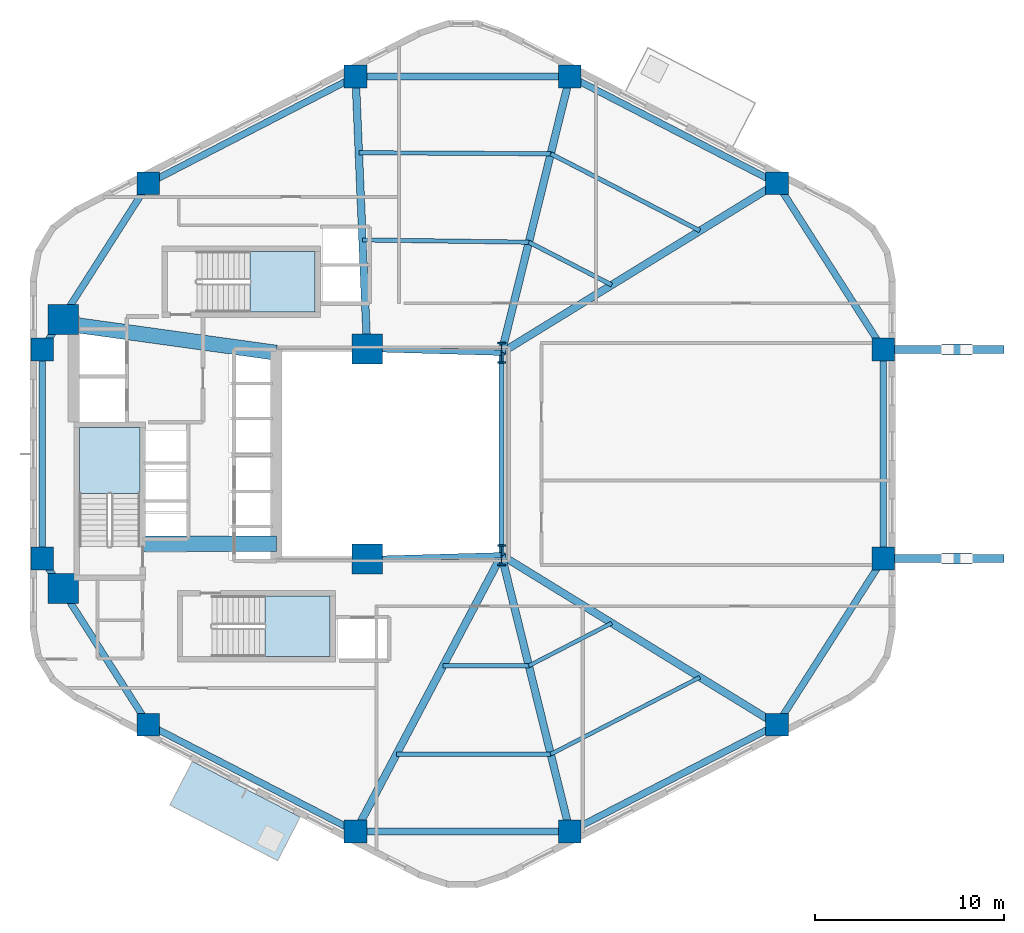
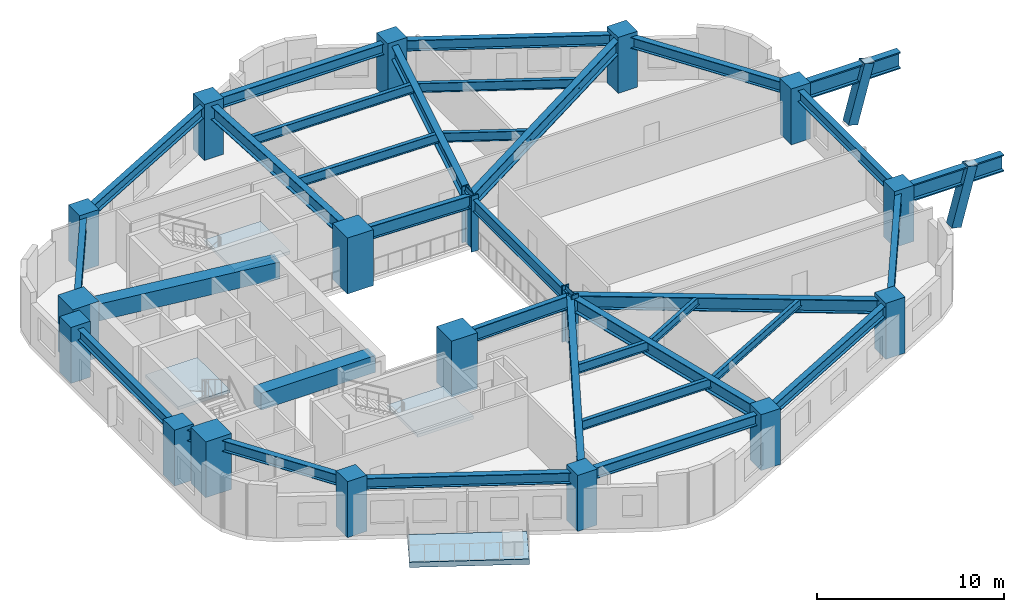
# One storey, part 1 of 7: 33 beams, 18 columns, 4 slabs, 2 members, 3 elements without a shape of their own.
"""IFC4 building model written with IfcOpenShell, lengths in metres."""

from ifc_helpers import new_model, si_unit, direction, frame, origin, origin_2d, place, context, subcontext, project, spatial, polyline, rectangle, hollow_rectangle, i_section, outline, extrude, material, layer, layer_set, material_profile, profile_set, type_object, element, aggregate, save


model = new_model("IFC4")

# Units and contexts
model_context = context("Model", 3, precision=1e-05, world=origin(), true_north=direction((0.0, 1.0)))
body_context = subcontext(model_context, "Body", "Model", "MODEL_VIEW")
ifc_project = project(units=[si_unit("LENGTHUNIT", "METRE"), si_unit("AREAUNIT", "SQUARE_METRE"), si_unit("VOLUMEUNIT", "CUBIC_METRE"), si_unit("PLANEANGLEUNIT", "RADIAN"), si_unit("MASSUNIT", "GRAM", prefix="KILO"), si_unit("THERMODYNAMICTEMPERATUREUNIT", "KELVIN"), si_unit("POWERUNIT", "WATT")], contexts=[model_context])

# Site, building, storey
site_placement = place(None, origin())
site = spatial("IfcSite", under=ifc_project, at=site_placement, CompositionType="ELEMENT")
building_placement = place(site_placement, origin())
building = spatial("IfcBuilding", under=site, at=building_placement, Name="Skarre Station Tower", CompositionType="ELEMENT")
storey_placement = place(building_placement, frame((0.0, 0.0, 37.949951171875)))
storey = spatial("IfcBuildingStorey", under=building, at=storey_placement, Name="L09", CompositionType="ELEMENT", Elevation=37.949951171875)

# Columns
ifc_material_1 = material(Name="Concrete C60/75", Category="concrete")
ifc_material_profile_1 = material_profile(ifc_material_1, rectangle(XDim=1.199951171875, YDim=1.199951171875, at=origin_2d()), Name="Concrete C60/75")
ifc_profile_set_1 = profile_set([ifc_material_profile_1], Name="Concrete C60/75")
column_type_1 = type_object("IfcColumnType", Name="RC Structural Column RC-COL-1200X1200", PredefinedType="COLUMN", material=ifc_profile_set_1)
for number, where, z_axis, x_axis, name in (
    (1, (54.007080078125, 38.298095703125, 0.0), (0.0, 0.0, 1.0), (1.0, 0.0, 0.0), "L09 Zone 1 Perimeter Column F0C1"),
    (2, (43.06005859375, 43.947021484375, 0.0), (0.0, 0.0, 1.0), (1.0, 0.0, 0.0), "L09 Zone 1 Perimeter Column F0C2"),
    (3, (31.739990234375, 43.947021484375, 0.0), (0.0, 0.0, 1.0), (1.0, 0.0, 0.0), "L09 Zone 1 Perimeter Column F1C1"),
    (4, (20.79296875, 38.298095703125, 0.0), (0.0, 0.0, 1.0), (1.0, 0.0, 0.0), "L09 Zone 1 Perimeter Column F1C2"),
    (5, (15.18701171875, 29.52099609375, 0.0), (0.0, 0.0, 1.0), (1.0, 0.0, 0.0), "L09 Zone 1 Perimeter Column F2C1"),
    (6, (15.18701171875, 18.47900390625, 0.0), (0.0, 0.0, 1.0), (1.0, 0.0, 0.0), "L09 Zone 1 Perimeter Column F2C2"),
    (7, (20.79296875, 9.701904296875, 0.0), (0.0, 0.0, 1.0), (1.0, 0.0, 0.0), "L09 Zone 1 Perimeter Column F3C1"),
    (8, (31.739990234375, 4.052978515625, 0.0), (0.0, 0.0, 1.0), (1.0, 0.0, 0.0), "L09 Zone 1 Perimeter Column F3C2"),
    (9, (43.06005859375, 4.052978515625, 0.0), (0.0, 0.0, 1.0), (1.0, 0.0, 0.0), "L09 Zone 1 Perimeter Column F4C1"),
    (10, (54.007080078125, 9.701904296875, 0.0), (0.0, 0.0, 1.0), (1.0, 0.0, 0.0), "L09 Zone 1 Perimeter Column F4C2"),
    (11, (59.613037109375, 18.47900390625, 0.0), (0.0, 0.0, 1.0), (1.0, 0.0, 0.0), "L09 Zone 1 Perimeter Column F5C1"),
    (12, (59.613037109375, 29.52099609375, 0.0), (0.0, 0.0, 1.0), (1.0, 0.0, 0.0), "L09 Zone 1 Perimeter Column F5C2"),
):
    element("IfcColumn", number, at=place(storey_placement, frame(where, z_axis=z_axis, x_axis=x_axis)), inside=storey, type_object=column_type_1, Name=name, PredefinedType="COLUMN", context=body_context, shape_type="SweptSolid", body=[
        extrude(rectangle(XDim=1.199951171875, YDim=1.199951171875, at=origin_2d()), origin(), (0.0, 0.0, 1.0), 3.650146484375),
    ])
ifc_material_2 = material(Name="Concrete C70/85", Category="concrete")
ifc_material_profile_2 = material_profile(ifc_material_2, rectangle(XDim=1.60009765625, YDim=1.60009765625, at=origin_2d()), Name="Concrete C70/85")
ifc_profile_set_2 = profile_set([ifc_material_profile_2], Name="Concrete C70/85")
column_type_2 = type_object("IfcColumnType", Name="RC Structural Column RC-COL-1600X1600", PredefinedType="COLUMN", material=ifc_profile_set_2)
for number, where, z_axis, x_axis, name in (
    (13, (16.300048828125, 16.89990234375, 0.0), (0.0, 0.0, 1.0), (1.0, 0.0, 0.0), "L09 Core Column CC-SW"),
    (14, (16.300048828125, 31.10009765625, 0.0), (0.0, 0.0, 1.0), (1.0, 0.0, 0.0), "L09 Core Column CC-NW"),
    (15, (32.35009765625, 18.449951171875, 0.0), (0.0, 0.0, 1.0), (1.0, 0.0, 0.0), "L09 Core Column CC-SE"),
    (16, (32.35009765625, 29.550048828125, 0.0), (0.0, 0.0, 1.0), (1.0, 0.0, 0.0), "L09 Core Column CC-NE"),
):
    element("IfcColumn", number, at=place(storey_placement, frame(where, z_axis=z_axis, x_axis=x_axis)), inside=storey, type_object=column_type_2, Name=name, PredefinedType="COLUMN", context=body_context, shape_type="SweptSolid", body=[
        extrude(rectangle(XDim=1.60009765625, YDim=1.60009765625, at=origin_2d()), origin(), (0.0, 0.0, 1.0), 3.650146484375),
    ])
ifc_material_3 = material(Name="Steel ASTM A913 Grade 65", Category="steel")
ifc_material_profile_3 = material_profile(ifc_material_3, i_section(OverallWidth=0.424072265625, OverallDepth=1.092041015625, WebThickness=0.044921875, FlangeThickness=0.08203125, at=origin_2d()), Name="Steel ASTM A913 Grade 65")
ifc_profile_set_3 = profile_set([ifc_material_profile_3], Name="Steel ASTM A913 Grade 65")
column_type_3 = type_object("IfcColumnType", Name="Steel Column W40X593", PredefinedType="COLUMN", material=ifc_profile_set_3)
for number, where, z_axis, x_axis, name in (
    (17, (39.449951171875, 18.64990234375, 0.0), (0.0, 0.0, 1.0), (1.0, 0.0, 0.0), "L09 Atrium Spine Column AC-SE"),
    (18, (39.449951171875, 29.35009765625, 0.0), (0.0, 0.0, 1.0), (1.0, 0.0, 0.0), "L09 Atrium Spine Column AC-NE"),
):
    element("IfcColumn", number, at=place(storey_placement, frame(where, z_axis=z_axis, x_axis=x_axis)), inside=storey, type_object=column_type_3, Name=name, PredefinedType="COLUMN", context=body_context, shape_type="SweptSolid", body=[
        extrude(i_section(OverallWidth=0.424072265625, OverallDepth=1.092041015625, WebThickness=0.044921875, FlangeThickness=0.08203125, at=origin_2d()), origin(), (0.0, 0.0, 1.0), 3.650146484375),
    ])

# Beams
ifc_material_profile_4 = material_profile(ifc_material_2, rectangle(XDim=0.800048828125, YDim=1.10009765625, at=origin_2d()), Name="Concrete C70/85")
ifc_profile_set_4 = profile_set([ifc_material_profile_4], Name="Concrete C70/85")
beam_type_1 = type_object("IfcBeamType", Name="RC Core Coupling Lintel 800x1100", PredefinedType="LINTEL", material=ifc_profile_set_4)
beam_1_placement = place(storey_placement, frame((20.489990234375, 19.260009765625, 2.840087890625), z_axis=(1.0, 0.0, 0.0), x_axis=(0.0, 1.0, 0.0)))
element("IfcBeam", 19, at=beam_1_placement, inside=storey, type_object=beam_type_1, Name="L09 South Core Coupling Lintel", PredefinedType="LINTEL", context=body_context, shape_type="SweptSolid", body=[
    extrude(rectangle(XDim=0.800048828125, YDim=1.10009765625, at=origin_2d()), origin(), (0.0, 0.0, 1.0), 7.06005859375),
])
beam_2_placement = place(storey_placement, frame((17.050048828125, 30.800048828125, 2.840087890625), z_axis=(0.990599723633, -0.136792498109, 0.0), x_axis=(0.136792498109, 0.990599723633, 0.0)))
element("IfcBeam", 20, at=beam_2_placement, inside=storey, type_object=beam_type_1, Name="L09 North Core Coupling Lintel", PredefinedType="LINTEL", context=body_context, shape_type="SweptSolid", body=[
    extrude(rectangle(XDim=0.800048828125, YDim=1.10009765625, at=origin_2d()), origin(), (0.0, 0.0, 1.0), 10.599609375),
])
ifc_material_4 = material(Name="Steel ASTM A992 Grade 50", Category="steel")
ifc_material_profile_5 = material_profile(ifc_material_4, i_section(OverallWidth=0.26806640625, OverallDepth=0.77001953125, WebThickness=0.01611328125, FlangeThickness=0.02490234375, at=origin_2d()), Name="Steel ASTM A992 Grade 50")
ifc_profile_set_5 = profile_set([ifc_material_profile_5], Name="Steel ASTM A992 Grade 50")
beam_type_2 = type_object("IfcBeamType", Name="Steel Beam W30X132", PredefinedType="BEAM", material=ifc_profile_set_5)
beam_3_placement = place(storey_placement, frame((39.449951171875, 18.64990234375, 3.005126953125), z_axis=(0.0, 1.0, 0.0), x_axis=(-1.0, 0.0, 0.0)))
element("IfcBeam", 21, at=beam_3_placement, inside=storey, type_object=beam_type_2, Name="L09 Atrium East Edge Girder", PredefinedType="BEAM", context=body_context, shape_type="SweptSolid", body=[
    extrude(i_section(OverallWidth=0.26806640625, OverallDepth=0.77001953125, WebThickness=0.01611328125, FlangeThickness=0.02490234375, at=origin_2d()), origin(), (0.0, 0.0, 1.0), 10.7001953125),
])
ifc_material_profile_6 = material_profile(ifc_material_4, i_section(OverallWidth=0.2919921875, OverallDepth=0.85888671875, WebThickness=0.01708984375, FlangeThickness=0.031005859375, at=origin_2d()), Name="Steel ASTM A992 Grade 50")
ifc_profile_set_6 = profile_set([ifc_material_profile_6], Name="Steel ASTM A992 Grade 50")
beam_type_3 = type_object("IfcBeamType", Name="Steel Beam W33X169", PredefinedType="BEAM", material=ifc_profile_set_6)
for number, where, z_axis, x_axis, name in (
    (22, (32.35009765625, 18.449951171875, 2.9609375), (0.999603666405, 0.028151556095, 0.0), (-0.028151556095, 0.999603666405, 0.0), "L09 Atrium South Edge Girder"),
    (23, (32.35009765625, 29.550048828125, 2.9609375), (0.999603666405, -0.028151556095, 0.0), (0.028151556095, 0.999603666405, 0.0), "L09 Atrium North Edge Girder"),
):
    element("IfcBeam", number, at=place(storey_placement, frame(where, z_axis=z_axis, x_axis=x_axis)), inside=storey, type_object=beam_type_3, Name=name, PredefinedType="BEAM", context=body_context, shape_type="SweptSolid", body=[
        extrude(i_section(OverallWidth=0.2919921875, OverallDepth=0.85888671875, WebThickness=0.01708984375, FlangeThickness=0.031005859375, at=origin_2d()), origin(), (0.0, 0.0, 1.0), 7.102783203125),
    ])
ifc_material_profile_7 = material_profile(ifc_material_4, i_section(OverallWidth=0.40087890625, OverallDepth=0.876953125, WebThickness=0.02197265625, FlangeThickness=0.0400390625, at=origin_2d()), Name="Steel ASTM A992 Grade 50")
ifc_profile_set_7 = profile_set([ifc_material_profile_7], Name="Steel ASTM A992 Grade 50")
beam_type_4 = type_object("IfcBeamType", Name="Steel Beam W33X263", PredefinedType="BEAM", material=ifc_profile_set_7)
beam_4_placement = place(storey_placement, frame((39.449951171875, 29.35009765625, 2.9521484375), z_axis=(0.851925565957, 0.523662897358, 0.0), x_axis=(-0.523662897358, 0.851925565957, 0.0)))
element("IfcBeam", 24, at=beam_4_placement, inside=storey, type_object=beam_type_4, Name="L09 Radial Floor Girder F0C1", PredefinedType="BEAM", context=body_context, shape_type="SweptSolid", body=[
    extrude(i_section(OverallWidth=0.40087890625, OverallDepth=0.876953125, WebThickness=0.02197265625, FlangeThickness=0.0400390625, at=origin_2d()), origin(), (0.0, 0.0, 1.0), 17.08740234375),
])
beam_5_placement = place(storey_placement, frame((39.449951171875, 29.35009765625, 2.9521484375), z_axis=(0.240086037639, 0.9707516132, 0.0), x_axis=(-0.9707516132, 0.240086037639, 0.0)))
element("IfcBeam", 25, at=beam_5_placement, inside=storey, type_object=beam_type_4, Name="L09 Radial Floor Girder F0C2", PredefinedType="BEAM", context=body_context, shape_type="SweptSolid", body=[
    extrude(i_section(OverallWidth=0.40087890625, OverallDepth=0.876953125, WebThickness=0.02197265625, FlangeThickness=0.0400390625, at=origin_2d()), origin(), (0.0, 0.0, 1.0), 15.03662109375),
])
beam_6_placement = place(storey_placement, frame((32.35009765625, 29.550048828125, 2.9521484375), z_axis=(-0.042339479433, 0.999103282189, 0.0), x_axis=(-0.999103282189, -0.042339479433, 0.0)))
element("IfcBeam", 26, at=beam_6_placement, inside=storey, type_object=beam_type_4, Name="L09 Radial Floor Girder F1C1", PredefinedType="BEAM", context=body_context, shape_type="SweptSolid", body=[
    extrude(i_section(OverallWidth=0.40087890625, OverallDepth=0.876953125, WebThickness=0.02197265625, FlangeThickness=0.0400390625, at=origin_2d()), origin(), (0.0, 0.0, 1.0), 14.409912109375),
])
beam_7_placement = place(storey_placement, frame((39.449951171875, 18.64990234375, 2.9521484375), z_axis=(-0.467044240884, -0.884233949279, 0.0), x_axis=(0.884233949279, -0.467044240884, 0.0)))
element("IfcBeam", 27, at=beam_7_placement, inside=storey, type_object=beam_type_4, Name="L09 Radial Floor Girder F3C2", PredefinedType="BEAM", context=body_context, shape_type="SweptSolid", body=[
    extrude(i_section(OverallWidth=0.40087890625, OverallDepth=0.876953125, WebThickness=0.02197265625, FlangeThickness=0.0400390625, at=origin_2d()), origin(), (0.0, 0.0, 1.0), 16.508056640625),
])
beam_8_placement = place(storey_placement, frame((39.449951171875, 18.64990234375, 2.9521484375), z_axis=(0.240086037639, -0.9707516132, 0.0), x_axis=(0.9707516132, 0.240086037639, 0.0)))
element("IfcBeam", 28, at=beam_8_placement, inside=storey, type_object=beam_type_4, Name="L09 Radial Floor Girder F4C1", PredefinedType="BEAM", context=body_context, shape_type="SweptSolid", body=[
    extrude(i_section(OverallWidth=0.40087890625, OverallDepth=0.876953125, WebThickness=0.02197265625, FlangeThickness=0.0400390625, at=origin_2d()), origin(), (0.0, 0.0, 1.0), 15.03662109375),
])
beam_9_placement = place(storey_placement, frame((39.449951171875, 18.64990234375, 2.9521484375), z_axis=(0.851925565957, -0.523662897358, 0.0), x_axis=(0.523662897358, 0.851925565957, 0.0)))
element("IfcBeam", 29, at=beam_9_placement, inside=storey, type_object=beam_type_4, Name="L09 Radial Floor Girder F4C2", PredefinedType="BEAM", context=body_context, shape_type="SweptSolid", body=[
    extrude(i_section(OverallWidth=0.40087890625, OverallDepth=0.876953125, WebThickness=0.02197265625, FlangeThickness=0.0400390625, at=origin_2d()), origin(), (0.0, 0.0, 1.0), 17.08740234375),
])
ifc_material_profile_8 = material_profile(ifc_material_4, i_section(OverallWidth=0.208984375, OverallDepth=0.532958984375, WebThickness=0.010009765625, FlangeThickness=0.01611328125, at=origin_2d()), Name="Steel ASTM A992 Grade 50")
ifc_profile_set_8 = profile_set([ifc_material_profile_8], Name="Steel ASTM A992 Grade 50")
beam_type_5 = type_object("IfcBeamType", Name="Steel Joist W21X62", PredefinedType="JOIST", material=ifc_profile_set_8)
beam_10_placement = place(storey_placement, frame((40.89404296875, 12.81103515625, 3.1240234375), z_axis=(0.888626519249, 0.458631561591, 0.0), x_axis=(-0.458631561591, 0.888626519249, 0.0)))
element("IfcBeam", 30, at=beam_10_placement, inside=storey, type_object=beam_type_5, Name="L09 Auxiliary Composite Joist 7", PredefinedType="JOIST", context=body_context, shape_type="SweptSolid", body=[
    extrude(i_section(OverallWidth=0.208984375, OverallDepth=0.532958984375, WebThickness=0.010009765625, FlangeThickness=0.01611328125, at=origin_2d()), origin(), (0.0, 0.0, 1.0), 4.927734375),
])
beam_11_placement = place(storey_placement, frame((42.049072265625, 8.139892578125, 3.1240234375), z_axis=(0.88866227096, 0.458562283853, 0.0), x_axis=(-0.458562283853, 0.88866227096, 0.0)))
element("IfcBeam", 31, at=beam_11_placement, inside=storey, type_object=beam_type_5, Name="L09 Auxiliary Composite Joist 8", PredefinedType="JOIST", context=body_context, shape_type="SweptSolid", body=[
    extrude(i_section(OverallWidth=0.208984375, OverallDepth=0.532958984375, WebThickness=0.010009765625, FlangeThickness=0.01611328125, at=origin_2d()), origin(), (0.0, 0.0, 1.0), 8.869384765625),
])
ifc_material_profile_9 = material_profile(ifc_material_4, i_section(OverallWidth=0.22802734375, OverallDepth=0.60791015625, WebThickness=0.010986328125, FlangeThickness=0.01708984375, at=origin_2d()), Name="Steel ASTM A992 Grade 50")
ifc_profile_set_9 = profile_set([ifc_material_profile_9], Name="Steel ASTM A992 Grade 50")
beam_type_6 = type_object("IfcBeamType", Name="Steel Joist W24X76", PredefinedType="JOIST", material=ifc_profile_set_9)
beam_12_placement = place(storey_placement, frame((45.27294921875, 32.928955078125, 3.0859375), z_axis=(-0.888626519249, 0.458631561591, 0.0), x_axis=(-0.458631561591, -0.888626519249, 0.0)))
element("IfcBeam", 32, at=beam_12_placement, inside=storey, type_object=beam_type_6, Name="L09 Secondary Floor Joist 1", PredefinedType="JOIST", context=body_context, shape_type="SweptSolid", body=[
    extrude(i_section(OverallWidth=0.22802734375, OverallDepth=0.60791015625, WebThickness=0.010986328125, FlangeThickness=0.01708984375, at=origin_2d()), origin(), (0.0, 0.0, 1.0), 4.927734375),
])
beam_13_placement = place(storey_placement, frame((49.930908203125, 35.79296875, 3.0859375), z_axis=(-0.88866227096, 0.458562283853, 0.0), x_axis=(-0.458562283853, -0.88866227096, 0.0)))
element("IfcBeam", 33, at=beam_13_placement, inside=storey, type_object=beam_type_6, Name="L09 Secondary Floor Joist 2", PredefinedType="JOIST", context=body_context, shape_type="SweptSolid", body=[
    extrude(i_section(OverallWidth=0.22802734375, OverallDepth=0.60791015625, WebThickness=0.010986328125, FlangeThickness=0.01708984375, at=origin_2d()), origin(), (0.0, 0.0, 1.0), 8.869384765625),
])
beam_14_placement = place(storey_placement, frame((40.89404296875, 35.18896484375, 3.0859375), z_axis=(-0.999906603441, 0.013666908792, 0.0), x_axis=(-0.013666908792, -0.999906603441, 0.0)))
element("IfcBeam", 34, at=beam_14_placement, inside=storey, type_object=beam_type_6, Name="L09 Secondary Floor Joist 3", PredefinedType="JOIST", context=body_context, shape_type="SweptSolid", body=[
    extrude(i_section(OverallWidth=0.22802734375, OverallDepth=0.60791015625, WebThickness=0.010986328125, FlangeThickness=0.01708984375, at=origin_2d()), origin(), (0.0, 0.0, 1.0), 8.788818359375),
])
beam_15_placement = place(storey_placement, frame((42.049072265625, 39.860107421875, 3.0859375), z_axis=(-0.999984794845, 0.005514533498, 0.0), x_axis=(-0.005514533498, -0.999984794845, 0.0)))
element("IfcBeam", 35, at=beam_15_placement, inside=storey, type_object=beam_type_6, Name="L09 Secondary Floor Joist 4", PredefinedType="JOIST", context=body_context, shape_type="SweptSolid", body=[
    extrude(i_section(OverallWidth=0.22802734375, OverallDepth=0.60791015625, WebThickness=0.010986328125, FlangeThickness=0.01708984375, at=origin_2d()), origin(), (0.0, 0.0, 1.0), 10.138427734375),
])
beam_16_placement = place(storey_placement, frame((36.365966796875, 12.81103515625, 3.0859375), z_axis=(1.0, 0.0, 0.0), x_axis=(0.0, 1.0, 0.0)))
element("IfcBeam", 36, at=beam_16_placement, inside=storey, type_object=beam_type_6, Name="L09 Secondary Floor Joist 5", PredefinedType="JOIST", context=body_context, shape_type="SweptSolid", body=[
    extrude(i_section(OverallWidth=0.22802734375, OverallDepth=0.60791015625, WebThickness=0.010986328125, FlangeThickness=0.01708984375, at=origin_2d()), origin(), (0.0, 0.0, 1.0), 4.528076171875),
])
beam_17_placement = place(storey_placement, frame((33.89892578125, 8.139892578125, 3.0859375), z_axis=(1.0, 0.0, 0.0), x_axis=(0.0, 1.0, 0.0)))
element("IfcBeam", 37, at=beam_17_placement, inside=storey, type_object=beam_type_6, Name="L09 Secondary Floor Joist 6", PredefinedType="JOIST", context=body_context, shape_type="SweptSolid", body=[
    extrude(i_section(OverallWidth=0.22802734375, OverallDepth=0.60791015625, WebThickness=0.010986328125, FlangeThickness=0.01708984375, at=origin_2d()), origin(), (0.0, 0.0, 1.0), 8.150146484375),
])
ifc_material_profile_10 = material_profile(ifc_material_4, i_section(OverallWidth=0.35791015625, OverallDepth=0.7060546875, WebThickness=0.01806640625, FlangeThickness=0.030029296875, at=origin_2d()), Name="Steel ASTM A992 Grade 50")
ifc_profile_set_10 = profile_set([ifc_material_profile_10], Name="Steel ASTM A992 Grade 50")
beam_type_7 = type_object("IfcBeamType", Name="Steel Spandrel W27X178", PredefinedType="SPANDREL", material=ifc_profile_set_10)
beam_18_placement = place(storey_placement, frame((54.007080078125, 38.298095703125, 3.037109375), z_axis=(-0.888658695823, 0.458569212158, 0.0), x_axis=(-0.458569212158, -0.888658695823, 0.0)))
element("IfcBeam", 38, at=beam_18_placement, inside=storey, type_object=beam_type_7, Name="L09 Facet Spandrel Beam 1", PredefinedType="SPANDREL", context=body_context, shape_type="SweptSolid", body=[
    extrude(i_section(OverallWidth=0.35791015625, OverallDepth=0.7060546875, WebThickness=0.01806640625, FlangeThickness=0.030029296875, at=origin_2d()), origin(), (0.0, 0.0, 1.0), 12.318603515625),
])
beam_19_placement = place(storey_placement, frame((43.06005859375, 43.947021484375, 3.037109375), z_axis=(-1.0, 0.0, 0.0), x_axis=(0.0, -1.0, 0.0)))
element("IfcBeam", 39, at=beam_19_placement, inside=storey, type_object=beam_type_7, Name="L09 Facet Spandrel Beam 2", PredefinedType="SPANDREL", context=body_context, shape_type="SweptSolid", body=[
    extrude(i_section(OverallWidth=0.35791015625, OverallDepth=0.7060546875, WebThickness=0.01806640625, FlangeThickness=0.030029296875, at=origin_2d()), origin(), (0.0, 0.0, 1.0), 11.320068359375),
])
beam_20_placement = place(storey_placement, frame((31.739990234375, 43.947021484375, 3.037109375), z_axis=(-0.888658695823, -0.458569212158, 0.0), x_axis=(0.458569212158, -0.888658695823, 0.0)))
element("IfcBeam", 40, at=beam_20_placement, inside=storey, type_object=beam_type_7, Name="L09 Facet Spandrel Beam 3", PredefinedType="SPANDREL", context=body_context, shape_type="SweptSolid", body=[
    extrude(i_section(OverallWidth=0.35791015625, OverallDepth=0.7060546875, WebThickness=0.01806640625, FlangeThickness=0.030029296875, at=origin_2d()), origin(), (0.0, 0.0, 1.0), 12.318603515625),
])
beam_21_placement = place(storey_placement, frame((20.79296875, 38.298095703125, 3.037109375), z_axis=(-0.538277829225, -0.842767452246, 0.0), x_axis=(0.842767452246, -0.538277829225, 0.0)))
element("IfcBeam", 41, at=beam_21_placement, inside=storey, type_object=beam_type_7, Name="L09 Facet Spandrel Beam 4", PredefinedType="SPANDREL", context=body_context, shape_type="SweptSolid", body=[
    extrude(i_section(OverallWidth=0.35791015625, OverallDepth=0.7060546875, WebThickness=0.01806640625, FlangeThickness=0.030029296875, at=origin_2d()), origin(), (0.0, 0.0, 1.0), 10.41455078125),
])
beam_22_placement = place(storey_placement, frame((15.18701171875, 29.52099609375, 3.037109375), z_axis=(0.0, -1.0, 0.0), x_axis=(1.0, 0.0, 0.0)))
element("IfcBeam", 42, at=beam_22_placement, inside=storey, type_object=beam_type_7, Name="L09 Facet Spandrel Beam 5", PredefinedType="SPANDREL", context=body_context, shape_type="SweptSolid", body=[
    extrude(i_section(OverallWidth=0.35791015625, OverallDepth=0.7060546875, WebThickness=0.01806640625, FlangeThickness=0.030029296875, at=origin_2d()), origin(), (0.0, 0.0, 1.0), 11.0419921875),
])
beam_23_placement = place(storey_placement, frame((15.18701171875, 18.47900390625, 3.037109375), z_axis=(0.538277829225, -0.842767452246, 0.0), x_axis=(0.842767452246, 0.538277829225, 0.0)))
element("IfcBeam", 43, at=beam_23_placement, inside=storey, type_object=beam_type_7, Name="L09 Facet Spandrel Beam 6", PredefinedType="SPANDREL", context=body_context, shape_type="SweptSolid", body=[
    extrude(i_section(OverallWidth=0.35791015625, OverallDepth=0.7060546875, WebThickness=0.01806640625, FlangeThickness=0.030029296875, at=origin_2d()), origin(), (0.0, 0.0, 1.0), 10.41455078125),
])
beam_24_placement = place(storey_placement, frame((20.79296875, 9.701904296875, 3.037109375), z_axis=(0.888658695823, -0.458569212158, 0.0), x_axis=(0.458569212158, 0.888658695823, 0.0)))
element("IfcBeam", 44, at=beam_24_placement, inside=storey, type_object=beam_type_7, Name="L09 Facet Spandrel Beam 7", PredefinedType="SPANDREL", context=body_context, shape_type="SweptSolid", body=[
    extrude(i_section(OverallWidth=0.35791015625, OverallDepth=0.7060546875, WebThickness=0.01806640625, FlangeThickness=0.030029296875, at=origin_2d()), origin(), (0.0, 0.0, 1.0), 12.318603515625),
])
beam_25_placement = place(storey_placement, frame((31.739990234375, 4.052978515625, 3.037109375), z_axis=(1.0, 0.0, 0.0), x_axis=(0.0, 1.0, 0.0)))
element("IfcBeam", 45, at=beam_25_placement, inside=storey, type_object=beam_type_7, Name="L09 Facet Spandrel Beam 8", PredefinedType="SPANDREL", context=body_context, shape_type="SweptSolid", body=[
    extrude(i_section(OverallWidth=0.35791015625, OverallDepth=0.7060546875, WebThickness=0.01806640625, FlangeThickness=0.030029296875, at=origin_2d()), origin(), (0.0, 0.0, 1.0), 11.320068359375),
])
beam_26_placement = place(storey_placement, frame((43.06005859375, 4.052978515625, 3.037109375), z_axis=(0.888658695823, 0.458569212158, 0.0), x_axis=(-0.458569212158, 0.888658695823, 0.0)))
element("IfcBeam", 46, at=beam_26_placement, inside=storey, type_object=beam_type_7, Name="L09 Facet Spandrel Beam 9", PredefinedType="SPANDREL", context=body_context, shape_type="SweptSolid", body=[
    extrude(i_section(OverallWidth=0.35791015625, OverallDepth=0.7060546875, WebThickness=0.01806640625, FlangeThickness=0.030029296875, at=origin_2d()), origin(), (0.0, 0.0, 1.0), 12.318603515625),
])
beam_27_placement = place(storey_placement, frame((54.007080078125, 9.701904296875, 3.037109375), z_axis=(0.538277829225, 0.842767452246, 0.0), x_axis=(-0.842767452246, 0.538277829225, 0.0)))
element("IfcBeam", 47, at=beam_27_placement, inside=storey, type_object=beam_type_7, Name="L09 Facet Spandrel Beam 10", PredefinedType="SPANDREL", context=body_context, shape_type="SweptSolid", body=[
    extrude(i_section(OverallWidth=0.35791015625, OverallDepth=0.7060546875, WebThickness=0.01806640625, FlangeThickness=0.030029296875, at=origin_2d()), origin(), (0.0, 0.0, 1.0), 10.41455078125),
])
beam_28_placement = place(storey_placement, frame((59.613037109375, 18.47900390625, 3.037109375), z_axis=(0.0, 1.0, 0.0), x_axis=(-1.0, 0.0, 0.0)))
element("IfcBeam", 48, at=beam_28_placement, inside=storey, type_object=beam_type_7, Name="L09 Facet Spandrel Beam 11", PredefinedType="SPANDREL", context=body_context, shape_type="SweptSolid", body=[
    extrude(i_section(OverallWidth=0.35791015625, OverallDepth=0.7060546875, WebThickness=0.01806640625, FlangeThickness=0.030029296875, at=origin_2d()), origin(), (0.0, 0.0, 1.0), 11.0419921875),
])
beam_29_placement = place(storey_placement, frame((59.613037109375, 29.52099609375, 3.037109375), z_axis=(-0.538277829225, 0.842767452246, 0.0), x_axis=(-0.842767452246, -0.538277829225, 0.0)))
element("IfcBeam", 49, at=beam_29_placement, inside=storey, type_object=beam_type_7, Name="L09 Facet Spandrel Beam 12", PredefinedType="SPANDREL", context=body_context, shape_type="SweptSolid", body=[
    extrude(i_section(OverallWidth=0.35791015625, OverallDepth=0.7060546875, WebThickness=0.01806640625, FlangeThickness=0.030029296875, at=origin_2d()), origin(), (0.0, 0.0, 1.0), 10.41455078125),
])
ifc_material_profile_11 = material_profile(ifc_material_3, i_section(OverallWidth=0.424072265625, OverallDepth=1.092041015625, WebThickness=0.044921875, FlangeThickness=0.08203125, at=origin_2d()), Name="Steel ASTM A913 Grade 65")
ifc_profile_set_11 = profile_set([ifc_material_profile_11], Name="Steel ASTM A913 Grade 65")
beam_type_8 = type_object("IfcBeamType", Name="Steel Transfer Girder W40X593", PredefinedType="USERDEFINED", material=ifc_profile_set_11)
for number, where, z_axis, x_axis, name in (
    (50, (59.613037109375, 18.47900390625, 2.843994140625), (1.0, 0.0, 0.0), (0.0, 1.0, 0.0), "L09 SB-1 Exoskeleton Tier-1 Transfer Girder S1"),
    (51, (59.613037109375, 29.52099609375, 2.843994140625), (1.0, 0.0, 0.0), (0.0, 1.0, 0.0), "L09 SB-1 Exoskeleton Tier-1 Transfer Girder S2"),
):
    element("IfcBeam", number, at=place(storey_placement, frame(where, z_axis=z_axis, x_axis=x_axis)), inside=storey, type_object=beam_type_8, Name=name, ObjectType="TRANSFER_GIRDER", PredefinedType="USERDEFINED", context=body_context, shape_type="SweptSolid", body=[
        extrude(i_section(OverallWidth=0.424072265625, OverallDepth=1.092041015625, WebThickness=0.044921875, FlangeThickness=0.08203125, at=origin_2d()), origin(), (0.0, 0.0, 1.0), 6.3798828125),
    ])

# Members
ifc_material_5 = material(Name="Steel ASTM A501 Grade B", Category="steel")
ifc_material_profile_12 = material_profile(ifc_material_5, hollow_rectangle(XDim=0.60009765625, YDim=0.60009765625, WallThickness=0.028076171875, at=origin_2d()), Name="Steel ASTM A501 Grade B")
ifc_profile_set_12 = profile_set([ifc_material_profile_12], Name="Steel ASTM A501 Grade B")
member_type = type_object("IfcMemberType", Name="Steel Truss Strut HSS600X600X28", PredefinedType="STRUT", material=ifc_profile_set_12)
for number, where, z_axis, x_axis, name in (
    (52, (63.012939453125, 18.47900390625, -0.280029296875), (0.262883879314, 0.0, 0.964827479914), (0.0, 1.0, 0.0), "L09 SB-1 Exoskeleton Raking Strut Tier 1 S1"),
    (53, (63.012939453125, 29.52099609375, -0.280029296875), (0.262883879314, 0.0, 0.964827479914), (0.0, 1.0, 0.0), "L09 SB-1 Exoskeleton Raking Strut Tier 1 S2"),
):
    element("IfcMember", number, at=place(storey_placement, frame(where, z_axis=z_axis, x_axis=x_axis)), inside=storey, type_object=member_type, Name=name, PredefinedType="STRUT", context=body_context, shape_type="SweptSolid", body=[
        extrude(hollow_rectangle(XDim=0.60009765625, YDim=0.60009765625, WallThickness=0.028076171875, at=origin_2d()), origin(), (0.0, 0.0, 1.0), 3.803955078125),
    ])

# Slab
ifc_material_6 = material(Name="Precast concrete C50/60", Category="concrete")
ifc_layer_1 = layer(ifc_material_6, 0.340087890625, Name="Precast concrete C50/60")
ifc_layer_set_1 = layer_set([ifc_layer_1], Name="Precast concrete C50/60")
slab_type_1 = type_object("IfcSlabType", Name="Planted Tree-Balcony Cantilever Slab 340", PredefinedType="FLOOR", material=ifc_layer_set_1)
slab_1_placement = place(storey_placement, frame((0.0, 0.0, -0.33984375)))
element("IfcSlab", 54, at=slab_1_placement, inside=storey, type_object=slab_type_1, Name="L09 Planted Tree-Balcony Deck TB-L09-F3", PredefinedType="FLOOR", context=body_context, shape_type="SweptSolid", body=[
    extrude(outline(polyline([(23.1201171875, 7.759033203125), (28.80810546875, 4.823974609375), (27.6201171875, 2.52197265625), (21.931884765625, 5.45703125), (23.1201171875, 7.759033203125)])), origin(), (0.0, 0.0, 1.0), 0.33984375),
])

# Stair, slab
ifc_material_7 = material(Name="Concrete C40/50", Category="concrete")
stair_type_1 = type_object("IfcStairType", Name="Reinforced Concrete Exit Stair ST-1", PredefinedType="HALF_TURN_STAIR", material=ifc_material_7)
stair_1_placement = place(storey_placement, origin())
stair_1 = element("IfcStair", 55, at=stair_1_placement, inside=storey, type_object=stair_type_1, Name="L09 Core Exit Stair ST-1", PredefinedType="HALF_TURN_STAIR")
ifc_layer_2 = layer(ifc_material_7, 0.219970703125, Name="Concrete C40/50")
ifc_layer_set_2 = layer_set([ifc_layer_2], Name="Concrete C40/50")
slab_type_2 = type_object("IfcSlabType", Name="Reinforced Concrete Stair & Ramp Landing 220", PredefinedType="LANDING", material=ifc_layer_set_2)
slab_2_placement = place(storey_placement, frame((0.0, 0.0, 1.625)))
slab_2 = element("IfcSlab", 56, at=slab_2_placement, type_object=slab_type_2, Name="ST-1 landing 1", PredefinedType="LANDING", context=body_context, shape_type="SweptSolid", body=[
    extrude(outline(polyline([(20.35009765625, 21.919921875), (20.35009765625, 25.39990234375), (17.14990234375, 25.39990234375), (17.14990234375, 21.919921875), (20.35009765625, 21.919921875)])), origin(), (0.0, 0.0, 1.0), 0.199951171875),
])
aggregate(stair_1, [slab_2])

stair_type_2 = type_object("IfcStairType", Name="Reinforced Concrete Exit Stair ST-2", PredefinedType="HALF_TURN_STAIR", material=ifc_material_7)
stair_2_placement = place(storey_placement, origin())
stair_2 = element("IfcStair", 57, at=stair_2_placement, inside=storey, type_object=stair_type_2, Name="L09 Core Exit Stair ST-2", PredefinedType="HALF_TURN_STAIR")
slab_3_placement = place(storey_placement, frame((0.0, 0.0, 1.625)))
slab_3 = element("IfcSlab", 58, at=slab_3_placement, type_object=slab_type_2, Name="ST-2 landing 1", PredefinedType="LANDING", context=body_context, shape_type="SweptSolid", body=[
    extrude(outline(polyline([(26.949951171875, 13.300048828125), (30.39990234375, 13.300048828125), (30.39990234375, 16.5), (26.949951171875, 16.5), (26.949951171875, 13.300048828125)])), origin(), (0.0, 0.0, 1.0), 0.199951171875),
])
aggregate(stair_2, [slab_3])

stair_type_3 = type_object("IfcStairType", Name="Reinforced Concrete Exit Stair ST-3", PredefinedType="HALF_TURN_STAIR", material=ifc_material_7)
stair_3_placement = place(storey_placement, origin())
stair_3 = element("IfcStair", 59, at=stair_3_placement, inside=storey, type_object=stair_type_3, Name="L09 Core Exit Stair ST-3", PredefinedType="HALF_TURN_STAIR")
slab_4_placement = place(storey_placement, frame((0.0, 0.0, 1.625)))
slab_4 = element("IfcSlab", 60, at=slab_4_placement, type_object=slab_type_2, Name="ST-3 landing 1", PredefinedType="LANDING", context=body_context, shape_type="SweptSolid", body=[
    extrude(outline(polyline([(26.14990234375, 31.5), (29.60009765625, 31.5), (29.60009765625, 34.699951171875), (26.14990234375, 34.699951171875), (26.14990234375, 31.5)])), origin(), (0.0, 0.0, 1.0), 0.199951171875),
])
aggregate(stair_3, [slab_4])

save(model, "model.ifc")
